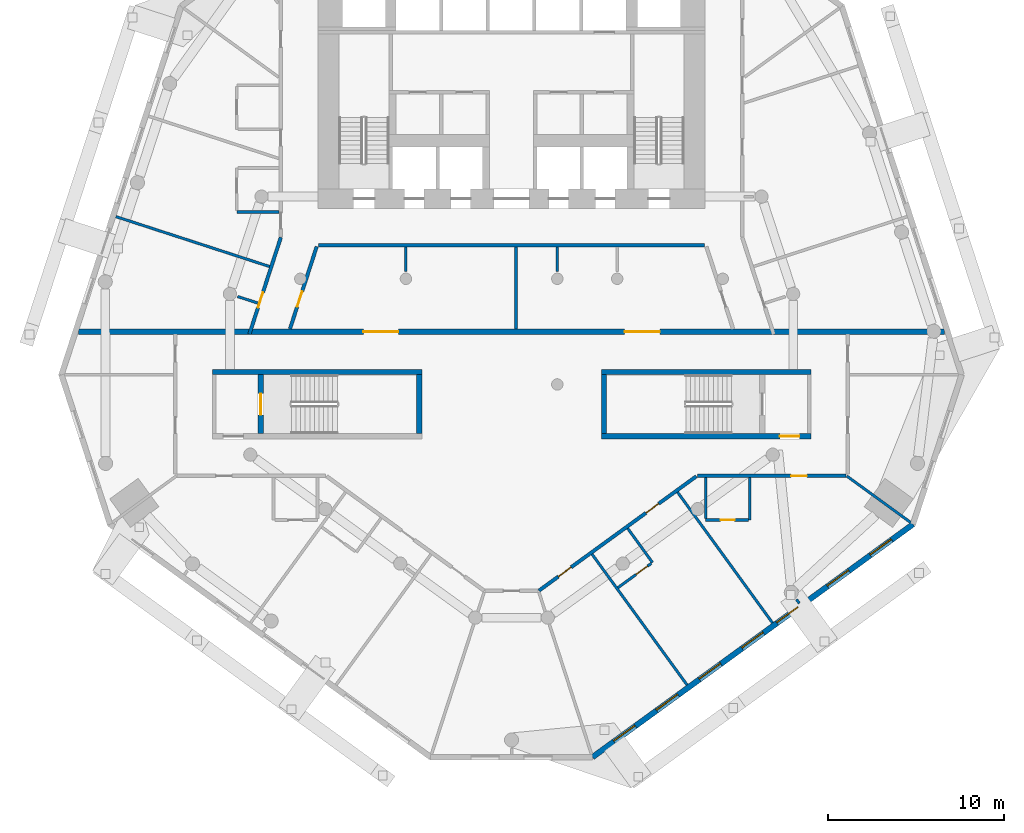
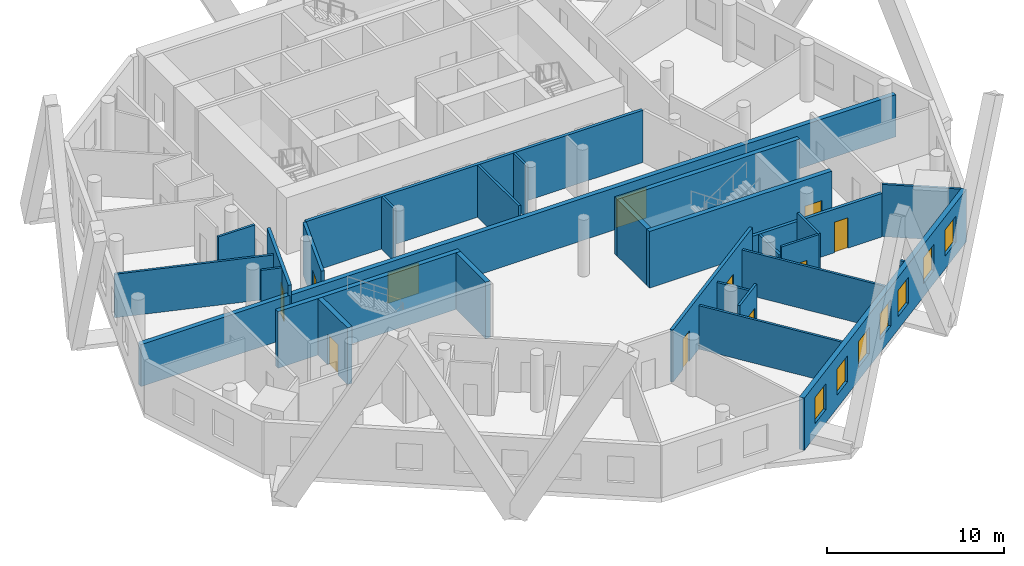
# One storey, part 4 of 10: 28 walls, 11 doors, 7 windows, 18 openings.
"""IFC4 building model written with IfcOpenShell, lengths in metres."""

from ifc_helpers import new_model, si_unit, direction, frame, frame_2d, origin, place, context, subcontext, project, spatial, rectangle, extrude, material, layer, layer_set, type_object, element, fill, save


model = new_model("IFC4")

# Units and contexts
model_context = context("Model", 3, precision=1e-05, world=origin(), true_north=direction((0.0, 1.0)))
body_context = subcontext(model_context, "Body", "Model", "MODEL_VIEW")
ifc_project = project(units=[si_unit("LENGTHUNIT", "METRE"), si_unit("AREAUNIT", "SQUARE_METRE"), si_unit("VOLUMEUNIT", "CUBIC_METRE"), si_unit("PLANEANGLEUNIT", "RADIAN"), si_unit("MASSUNIT", "GRAM", prefix="KILO")], contexts=[model_context])

# Site, building, storey
site_placement = place(None, origin())
site = spatial("IfcSite", under=ifc_project, at=site_placement, CompositionType="ELEMENT")
building_placement = place(site_placement, origin())
building = spatial("IfcBuilding", under=site, at=building_placement, Name="White Candle Pilgrim Tower", CompositionType="ELEMENT")
storey_placement = place(building_placement, frame((0.0, 0.0, 114.199951171875)))
storey = spatial("IfcBuildingStorey", under=building, at=storey_placement, Name="L25", CompositionType="ELEMENT", Elevation=114.199951171875)

# Wall, opening, door
ifc_material_1 = material(Name="Gypsum board on steel studs", Category="steel")
ifc_layer_1 = layer(ifc_material_1, 0.199951171875)
ifc_layer_set_1 = layer_set([ifc_layer_1], Name="Corridor wall 200 mm EI 45")
wall_type_1 = type_object("IfcWallType", Name="Corridor wall 200 mm EI 45", PredefinedType="PARTITIONING", material=ifc_layer_set_1)
wall_1_placement = place(storey_placement, frame((55.106689453125, 63.85009765625, 0.0), z_axis=(0.0, 0.0, 1.0), x_axis=(0.309017390004, 0.951056387747, 0.0)))
wall_1 = element("IfcWall", 1, at=wall_1_placement, inside=storey, type_object=wall_type_1, Name="WL-L25-P002", PredefinedType="PARTITIONING", context=body_context, shape_type="SweptSolid", body=[
    extrude(rectangle(XDim=5.787109375, YDim=0.199951171875, at=frame_2d((2.8935546875, 0.0))), origin(), (0.0, 0.0, 1.0), 3.60009765625),
])
opening_1_placement = place(wall_1_placement, frame((1.59619140625, 0.0, 0.0)))
opening_1 = element("IfcOpeningElement", 2, at=opening_1_placement, cuts=wall_1, Name="Opening T08-119", PredefinedType="OPENING", context=body_context, shape_type="SweptSolid", body=[
    extrude(rectangle(XDim=0.89990234375, YDim=2.10009765625, at=frame_2d((0.449951171875, 1.050048828125))), frame((0.0, 0.10986328125, 0.0), z_axis=(0.0, -1.0, 0.0), x_axis=(1.0, 0.0, 0.0)), (0.0, 0.0, 1.0), 0.219970703125),
])
ifc_material_2 = material(Name="Steel door leaf", Category="steel")
door_type_1 = type_object("IfcDoorType", Name="Fire door 900 x 2100 EI 30", OperationType="NOTDEFINED", PredefinedType="DOOR", material=ifc_material_2)
door_1_placement = place(opening_1_placement, origin())
door_1 = element("IfcDoor", 3, at=door_1_placement, inside=storey, type_object=door_type_1, Name="Door T08-119", OperationType="SINGLE_SWING_LEFT", OverallHeight=2.10009765625, OverallWidth=0.89990234375, PredefinedType="DOOR", context=body_context, shape_type="SweptSolid", body=[
    extrude(rectangle(XDim=0.89990234375, YDim=2.10009765625, at=frame_2d((0.449951171875, 1.050048828125))), frame((0.0, 0.02490234375, 0.0), z_axis=(0.0, -1.0, 0.0), x_axis=(1.0, 0.0, 0.0)), (0.0, 0.0, 1.0), 0.050048828125),
])
fill(opening_1, door_1)

wall_2_placement = place(storey_placement, frame((89.0, 55.800048828125, 0.0), z_axis=(0.0, 0.0, 1.0), x_axis=(-1.0, 0.0, 0.0)))
wall_2 = element("IfcWall", 4, at=wall_2_placement, inside=storey, type_object=wall_type_1, Name="WL-L25-P007", PredefinedType="PARTITIONING", context=body_context, shape_type="SweptSolid", body=[
    extrude(rectangle(XDim=8.44189453125, YDim=0.199951171875, at=frame_2d((4.220947265625, 0.0))), origin(), (0.0, 0.0, 1.0), 3.0),
])
opening_2_placement = place(wall_2_placement, frame((2.218505859375, 0.0, 0.0)))
opening_2 = element("IfcOpeningElement", 5, at=opening_2_placement, cuts=wall_2, Name="Opening T08-114", PredefinedType="OPENING", context=body_context, shape_type="SweptSolid", body=[
    extrude(rectangle(XDim=0.89990234375, YDim=2.10009765625, at=frame_2d((0.449951171875, 1.050048828125))), frame((0.0, 0.10986328125, 0.0), z_axis=(0.0, -1.0, 0.0), x_axis=(1.0, 0.0, 0.0)), (0.0, 0.0, 1.0), 0.219970703125),
])
door_2_placement = place(opening_2_placement, origin())
door_2 = element("IfcDoor", 6, at=door_2_placement, inside=storey, type_object=door_type_1, Name="Door T08-114", OperationType="SINGLE_SWING_RIGHT", OverallHeight=2.10009765625, OverallWidth=0.89990234375, PredefinedType="DOOR", context=body_context, shape_type="SweptSolid", body=[
    extrude(rectangle(XDim=0.89990234375, YDim=2.10009765625, at=frame_2d((0.449951171875, 1.050048828125))), frame((0.0, 0.02490234375, 0.0), z_axis=(0.0, -1.0, 0.0), x_axis=(1.0, 0.0, 0.0)), (0.0, 0.0, 1.0), 0.050048828125),
])
fill(opening_2, door_2)

# Wall, openings, doors
wall_3_placement = place(storey_placement, frame((80.49951171875, 55.781005859375, 0.0), z_axis=(0.0, 0.0, 1.0), x_axis=(-0.809011116472, -0.587793342447, 0.0)))
wall_3 = element("IfcWall", 7, at=wall_3_placement, inside=storey, type_object=wall_type_1, Name="WL-L25-P008", PredefinedType="PARTITIONING", context=body_context, shape_type="SweptSolid", body=[
    extrude(rectangle(XDim=11.0517578125, YDim=0.199951171875, at=frame_2d((5.52587890625, 0.0))), origin(), (0.0, 0.0, 1.0), 3.60009765625),
])
opening_3_placement = place(wall_3_placement, frame((8.789794921875, 0.0, 0.0)))
opening_3 = element("IfcOpeningElement", 8, at=opening_3_placement, cuts=wall_3, Name="Opening T08-110", PredefinedType="OPENING", context=body_context, shape_type="SweptSolid", body=[
    extrude(rectangle(XDim=0.89990234375, YDim=2.10009765625, at=frame_2d((0.449951171875, 1.050048828125))), frame((0.0, 0.10986328125, 0.0), z_axis=(0.0, -1.0, 0.0), x_axis=(1.0, 0.0, 0.0)), (0.0, 0.0, 1.0), 0.219970703125),
])
opening_4_placement = place(wall_3_placement, frame((2.6455078125, 0.0, 0.0)))
opening_4 = element("IfcOpeningElement", 9, at=opening_4_placement, cuts=wall_3, Name="Opening T08-112", PredefinedType="OPENING", context=body_context, shape_type="SweptSolid", body=[
    extrude(rectangle(XDim=0.89990234375, YDim=2.10009765625, at=frame_2d((0.449951171875, 1.050048828125))), frame((0.0, 0.10986328125, 0.0), z_axis=(0.0, -1.0, 0.0), x_axis=(1.0, 0.0, 0.0)), (0.0, 0.0, 1.0), 0.219970703125),
])
door_3_placement = place(opening_3_placement, origin())
door_3 = element("IfcDoor", 10, at=door_3_placement, inside=storey, type_object=door_type_1, Name="Door T08-110", OperationType="SINGLE_SWING_RIGHT", OverallHeight=2.10009765625, OverallWidth=0.89990234375, PredefinedType="DOOR", context=body_context, shape_type="SweptSolid", body=[
    extrude(rectangle(XDim=0.89990234375, YDim=2.10009765625, at=frame_2d((0.449951171875, 1.050048828125))), frame((0.0, 0.02490234375, 0.0), z_axis=(0.0, -1.0, 0.0), x_axis=(1.0, 0.0, 0.0)), (0.0, 0.0, 1.0), 0.050048828125),
])
fill(opening_3, door_3)
door_4_placement = place(opening_4_placement, origin())
door_4 = element("IfcDoor", 11, at=door_4_placement, inside=storey, type_object=door_type_1, Name="Door T08-112", OperationType="SINGLE_SWING_RIGHT", OverallHeight=2.10009765625, OverallWidth=0.89990234375, PredefinedType="DOOR", context=body_context, shape_type="SweptSolid", body=[
    extrude(rectangle(XDim=0.89990234375, YDim=2.10009765625, at=frame_2d((0.449951171875, 1.050048828125))), frame((0.0, 0.02490234375, 0.0), z_axis=(0.0, -1.0, 0.0), x_axis=(1.0, 0.0, 0.0)), (0.0, 0.0, 1.0), 0.050048828125),
])
fill(opening_4, door_4)

# Wall
wall_4_placement = place(storey_placement, frame((80.9716796875, 68.89990234375, 0.0), z_axis=(0.0, 0.0, 1.0), x_axis=(-1.0, 0.0, 0.0)))
element("IfcWall", 12, at=wall_4_placement, inside=storey, type_object=wall_type_1, Name="WL-L25-P013", PredefinedType="PARTITIONING", context=body_context, shape_type="SweptSolid", body=[
    extrude(rectangle(XDim=21.943359375, YDim=0.199951171875, at=frame_2d((10.9716796875, 0.0))), origin(), (0.0, 0.0, 1.0), 3.60009765625),
])

# Wall, opening, door
wall_5_placement = place(storey_placement, frame((58.93310546875, 68.830810546875, 0.0), z_axis=(0.0, 0.0, 1.0), x_axis=(-0.308986244793, -0.95106650689, 0.0)))
wall_5 = element("IfcWall", 13, at=wall_5_placement, inside=storey, type_object=wall_type_1, Name="WL-L25-P014", PredefinedType="PARTITIONING", context=body_context, shape_type="SweptSolid", body=[
    extrude(rectangle(XDim=4.921630859375, YDim=0.199951171875, at=frame_2d((2.4609375, 0.0))), origin(), (0.0, 0.0, 1.0), 3.60009765625),
])
opening_5_placement = place(wall_5_placement, frame((2.688720703125, 0.0, 0.0)))
opening_5 = element("IfcOpeningElement", 14, at=opening_5_placement, cuts=wall_5, Name="Opening T08-130", PredefinedType="OPENING", context=body_context, shape_type="SweptSolid", body=[
    extrude(rectangle(XDim=0.89990234375, YDim=2.10009765625, at=frame_2d((0.449951171875, 1.050048828125))), frame((0.0, 0.10986328125, 0.0), z_axis=(0.0, -1.0, 0.0), x_axis=(1.0, 0.0, 0.0)), (0.0, 0.0, 1.0), 0.219970703125),
])
door_5_placement = place(opening_5_placement, origin())
door_5 = element("IfcDoor", 15, at=door_5_placement, inside=storey, type_object=door_type_1, Name="Door T08-130", OperationType="SINGLE_SWING_RIGHT", OverallHeight=2.10009765625, OverallWidth=0.89990234375, PredefinedType="DOOR", context=body_context, shape_type="SweptSolid", body=[
    extrude(rectangle(XDim=0.89990234375, YDim=2.10009765625, at=frame_2d((0.449951171875, 1.050048828125))), frame((0.0, 0.02490234375, 0.0), z_axis=(0.0, -1.0, 0.0), x_axis=(1.0, 0.0, 0.0)), (0.0, 0.0, 1.0), 0.050048828125),
])
fill(opening_5, door_5)

# Wall, openings, windows
ifc_material_3 = material(Name="Precast concrete C40/50", Category="concrete")
ifc_layer_2 = layer(ifc_material_3, 0.320068359375)
ifc_layer_set_2 = layer_set([ifc_layer_2], Name="Facade wall EW1 precast concrete C40/50 pier wall with timber-lined reveals")
wall_type_2 = type_object("IfcWallType", Name="Facade wall EW1 precast concrete C40/50 pier wall with timber-lined reveals", PredefinedType="SOLIDWALL", material=ifc_layer_set_2)
wall_6_placement = place(storey_placement, frame((74.599609375, 39.825927734375, 0.0), z_axis=(0.0, 0.0, 1.0), x_axis=(0.809016442358, 0.587786012077, 0.0)))
wall_6 = element("IfcWall", 16, at=wall_6_placement, inside=storey, type_object=wall_type_2, Name="Facade wall L25 SE", PredefinedType="SOLIDWALL", context=body_context, shape_type="SweptSolid", body=[
    extrude(rectangle(XDim=22.511474609375, YDim=0.320068359375, at=frame_2d((11.255859375, 0.0))), origin(), (0.0, 0.0, 1.0), 3.60009765625),
])
opening_6_placement = place(wall_6_placement, frame((1.505615234375, 0.0, 0.89990234375)))
opening_6 = element("IfcOpeningElement", 17, at=opening_6_placement, cuts=wall_6, Name="Opening W1", PredefinedType="OPENING", context=body_context, shape_type="SweptSolid", body=[
    extrude(rectangle(XDim=1.5, YDim=1.800048828125, at=frame_2d((0.75, 0.89990234375))), frame((0.0, 0.169921875, 0.0), z_axis=(0.0, -1.0, 0.0), x_axis=(1.0, 0.0, 0.0)), (0.0, 0.0, 1.0), 0.340087890625),
])
opening_7_placement = place(wall_6_placement, frame((4.505615234375, 0.0, 0.89990234375)))
opening_7 = element("IfcOpeningElement", 18, at=opening_7_placement, cuts=wall_6, Name="Opening W1", PredefinedType="OPENING", context=body_context, shape_type="SweptSolid", body=[
    extrude(rectangle(XDim=1.5, YDim=1.800048828125, at=frame_2d((0.75, 0.89990234375))), frame((0.0, 0.169921875, 0.0), z_axis=(0.0, -1.0, 0.0), x_axis=(1.0, 0.0, 0.0)), (0.0, 0.0, 1.0), 0.340087890625),
])
opening_8_placement = place(wall_6_placement, frame((7.505615234375, 0.0, 0.89990234375)))
opening_8 = element("IfcOpeningElement", 19, at=opening_8_placement, cuts=wall_6, Name="Opening W1", PredefinedType="OPENING", context=body_context, shape_type="SweptSolid", body=[
    extrude(rectangle(XDim=1.5, YDim=1.800048828125, at=frame_2d((0.75, 0.89990234375))), frame((0.0, 0.169921875, 0.0), z_axis=(0.0, -1.0, 0.0), x_axis=(1.0, 0.0, 0.0)), (0.0, 0.0, 1.0), 0.340087890625),
])
opening_9_placement = place(wall_6_placement, frame((10.505615234375, 0.0, 0.89990234375)))
opening_9 = element("IfcOpeningElement", 20, at=opening_9_placement, cuts=wall_6, Name="Opening W1", PredefinedType="OPENING", context=body_context, shape_type="SweptSolid", body=[
    extrude(rectangle(XDim=1.5, YDim=1.800048828125, at=frame_2d((0.75, 0.89990234375))), frame((0.0, 0.169921875, 0.0), z_axis=(0.0, -1.0, 0.0), x_axis=(1.0, 0.0, 0.0)), (0.0, 0.0, 1.0), 0.340087890625),
])
opening_10_placement = place(wall_6_placement, frame((12.955810546875, 0.0, 0.89990234375)))
opening_10 = element("IfcOpeningElement", 21, at=opening_10_placement, cuts=wall_6, Name="Opening W1", PredefinedType="OPENING", context=body_context, shape_type="SweptSolid", body=[
    extrude(rectangle(XDim=1.5, YDim=1.800048828125, at=frame_2d((0.75, 0.89990234375))), frame((0.0, 0.169921875, 0.0), z_axis=(0.0, -1.0, 0.0), x_axis=(1.0, 0.0, 0.0)), (0.0, 0.0, 1.0), 0.340087890625),
])
opening_11_placement = place(wall_6_placement, frame((16.505615234375, 0.0, 0.89990234375)))
opening_11 = element("IfcOpeningElement", 22, at=opening_11_placement, cuts=wall_6, Name="Opening W1", PredefinedType="OPENING", context=body_context, shape_type="SweptSolid", body=[
    extrude(rectangle(XDim=1.5, YDim=1.800048828125, at=frame_2d((0.75, 0.89990234375))), frame((0.0, 0.169921875, 0.0), z_axis=(0.0, -1.0, 0.0), x_axis=(1.0, 0.0, 0.0)), (0.0, 0.0, 1.0), 0.340087890625),
])
opening_12_placement = place(wall_6_placement, frame((19.505615234375, 0.0, 0.89990234375)))
opening_12 = element("IfcOpeningElement", 23, at=opening_12_placement, cuts=wall_6, Name="Opening W1", PredefinedType="OPENING", context=body_context, shape_type="SweptSolid", body=[
    extrude(rectangle(XDim=1.5, YDim=1.800048828125, at=frame_2d((0.75, 0.89990234375))), frame((0.0, 0.169921875, 0.0), z_axis=(0.0, -1.0, 0.0), x_axis=(1.0, 0.0, 0.0)), (0.0, 0.0, 1.0), 0.340087890625),
])
ifc_material_4 = material(Name="Timber frame with triple glazing", Category="wood")
window_type = type_object("IfcWindowType", Name="Window W1 1500x1800 timber frame triple glazing", PartitioningType="SINGLE_PANEL", PredefinedType="WINDOW", material=ifc_material_4)
window_1_placement = place(opening_6_placement, origin())
window_1 = element("IfcWindow", 24, at=window_1_placement, inside=storey, type_object=window_type, Name="Window W1 L25 SE 1", OverallHeight=1.800048828125, OverallWidth=1.5, PartitioningType="SINGLE_PANEL", PredefinedType="WINDOW", context=body_context, shape_type="SweptSolid", body=[
    extrude(rectangle(XDim=1.5, YDim=1.800048828125, at=frame_2d((0.75, 0.89990234375))), frame((0.0, 0.070068359375, 0.0), z_axis=(0.0, -1.0, 0.0), x_axis=(1.0, 0.0, 0.0)), (0.0, 0.0, 1.0), 0.06005859375),
])
fill(opening_6, window_1)
window_2_placement = place(opening_7_placement, origin())
window_2 = element("IfcWindow", 25, at=window_2_placement, inside=storey, type_object=window_type, Name="Window W1 L25 SE 2", OverallHeight=1.800048828125, OverallWidth=1.5, PartitioningType="SINGLE_PANEL", PredefinedType="WINDOW", context=body_context, shape_type="SweptSolid", body=[
    extrude(rectangle(XDim=1.5, YDim=1.800048828125, at=frame_2d((0.75, 0.89990234375))), frame((0.0, 0.070068359375, 0.0), z_axis=(0.0, -1.0, 0.0), x_axis=(1.0, 0.0, 0.0)), (0.0, 0.0, 1.0), 0.06005859375),
])
fill(opening_7, window_2)
window_3_placement = place(opening_8_placement, origin())
window_3 = element("IfcWindow", 26, at=window_3_placement, inside=storey, type_object=window_type, Name="Window W1 L25 SE 3", OverallHeight=1.800048828125, OverallWidth=1.5, PartitioningType="SINGLE_PANEL", PredefinedType="WINDOW", context=body_context, shape_type="SweptSolid", body=[
    extrude(rectangle(XDim=1.5, YDim=1.800048828125, at=frame_2d((0.75, 0.89990234375))), frame((0.0, 0.070068359375, 0.0), z_axis=(0.0, -1.0, 0.0), x_axis=(1.0, 0.0, 0.0)), (0.0, 0.0, 1.0), 0.06005859375),
])
fill(opening_8, window_3)
window_4_placement = place(opening_9_placement, origin())
window_4 = element("IfcWindow", 27, at=window_4_placement, inside=storey, type_object=window_type, Name="Window W1 L25 SE 4", OverallHeight=1.800048828125, OverallWidth=1.5, PartitioningType="SINGLE_PANEL", PredefinedType="WINDOW", context=body_context, shape_type="SweptSolid", body=[
    extrude(rectangle(XDim=1.5, YDim=1.800048828125, at=frame_2d((0.75, 0.89990234375))), frame((0.0, 0.070068359375, 0.0), z_axis=(0.0, -1.0, 0.0), x_axis=(1.0, 0.0, 0.0)), (0.0, 0.0, 1.0), 0.06005859375),
])
fill(opening_9, window_4)
window_5_placement = place(opening_10_placement, origin())
window_5 = element("IfcWindow", 28, at=window_5_placement, inside=storey, type_object=window_type, Name="Window W1 L25 SE 5", OverallHeight=1.800048828125, OverallWidth=1.5, PartitioningType="SINGLE_PANEL", PredefinedType="WINDOW", context=body_context, shape_type="SweptSolid", body=[
    extrude(rectangle(XDim=1.5, YDim=1.800048828125, at=frame_2d((0.75, 0.89990234375))), frame((0.0, 0.070068359375, 0.0), z_axis=(0.0, -1.0, 0.0), x_axis=(1.0, 0.0, 0.0)), (0.0, 0.0, 1.0), 0.06005859375),
])
fill(opening_10, window_5)
window_6_placement = place(opening_11_placement, origin())
window_6 = element("IfcWindow", 29, at=window_6_placement, inside=storey, type_object=window_type, Name="Window W1 L25 SE 6", OverallHeight=1.800048828125, OverallWidth=1.5, PartitioningType="SINGLE_PANEL", PredefinedType="WINDOW", context=body_context, shape_type="SweptSolid", body=[
    extrude(rectangle(XDim=1.5, YDim=1.800048828125, at=frame_2d((0.75, 0.89990234375))), frame((0.0, 0.070068359375, 0.0), z_axis=(0.0, -1.0, 0.0), x_axis=(1.0, 0.0, 0.0)), (0.0, 0.0, 1.0), 0.06005859375),
])
fill(opening_11, window_6)
window_7_placement = place(opening_12_placement, origin())
window_7 = element("IfcWindow", 30, at=window_7_placement, inside=storey, type_object=window_type, Name="Window W1 L25 SE 7", OverallHeight=1.800048828125, OverallWidth=1.5, PartitioningType="SINGLE_PANEL", PredefinedType="WINDOW", context=body_context, shape_type="SweptSolid", body=[
    extrude(rectangle(XDim=1.5, YDim=1.800048828125, at=frame_2d((0.75, 0.89990234375))), frame((0.0, 0.070068359375, 0.0), z_axis=(0.0, -1.0, 0.0), x_axis=(1.0, 0.0, 0.0)), (0.0, 0.0, 1.0), 0.06005859375),
])
fill(opening_12, window_7)

# Wall, openings, doors
ifc_material_5 = material(Name="Aerated concrete block", Category="concrete")
ifc_layer_3 = layer(ifc_material_5, 0.300048828125)
ifc_layer_set_3 = layer_set([ifc_layer_3], Name="Fire wall 300 mm REI 240")
wall_type_3 = type_object("IfcWallType", Name="Fire wall 300 mm REI 240", PredefinedType="PARTITIONING", material=ifc_layer_set_3)
wall_7_placement = place(storey_placement, frame((45.39794921875, 64.0, 0.0), z_axis=(0.0, 0.0, 1.0), x_axis=(1.0, 0.0, 0.0)))
wall_7 = element("IfcWall", 31, at=wall_7_placement, inside=storey, type_object=wall_type_3, Name="WL-L25-P001", PredefinedType="PARTITIONING", context=body_context, shape_type="SweptSolid", body=[
    extrude(rectangle(XDim=49.2041015625, YDim=0.300048828125, at=frame_2d((24.60205078125, 0.0))), origin(), (0.0, 0.0, 1.0), 2.900146484375),
])
opening_13_placement = place(wall_7_placement, frame((16.1796875, 0.0, 0.0)))
opening_13 = element("IfcOpeningElement", 32, at=opening_13_placement, cuts=wall_7, Name="Opening T08-116", PredefinedType="OPENING", context=body_context, shape_type="SweptSolid", body=[
    extrude(rectangle(XDim=2.0, YDim=2.10009765625, at=frame_2d((1.0, 1.050048828125))), frame((0.0, 0.159912109375, 0.0), z_axis=(0.0, -1.0, 0.0), x_axis=(1.0, 0.0, 0.0)), (0.0, 0.0, 1.0), 0.320068359375),
])
opening_14_placement = place(wall_7_placement, frame((31.0244140625, 0.0, 0.0)))
opening_14 = element("IfcOpeningElement", 33, at=opening_14_placement, cuts=wall_7, Name="Opening T08-117", PredefinedType="OPENING", context=body_context, shape_type="SweptSolid", body=[
    extrude(rectangle(XDim=2.0, YDim=2.10009765625, at=frame_2d((1.0, 1.050048828125))), frame((0.0, 0.159912109375, 0.0), z_axis=(0.0, -1.0, 0.0), x_axis=(1.0, 0.0, 0.0)), (0.0, 0.0, 1.0), 0.320068359375),
])
door_type_2 = type_object("IfcDoorType", Name="Fire door 2000 x 2100 EI 60", OperationType="NOTDEFINED", PredefinedType="DOOR", material=ifc_material_2)
door_6_placement = place(opening_13_placement, origin())
door_6 = element("IfcDoor", 34, at=door_6_placement, inside=storey, type_object=door_type_2, Name="Door T08-116", OperationType="DOUBLE_DOOR_SINGLE_SWING", OverallHeight=2.10009765625, OverallWidth=2.0, PredefinedType="DOOR", context=body_context, shape_type="SweptSolid", body=[
    extrude(rectangle(XDim=2.0, YDim=2.10009765625, at=frame_2d((1.0, 1.050048828125))), frame((0.0, 0.02490234375, 0.0), z_axis=(0.0, -1.0, 0.0), x_axis=(1.0, 0.0, 0.0)), (0.0, 0.0, 1.0), 0.050048828125),
])
fill(opening_13, door_6)
door_7_placement = place(opening_14_placement, origin())
door_7 = element("IfcDoor", 35, at=door_7_placement, inside=storey, type_object=door_type_2, Name="Door T08-117", OperationType="DOUBLE_DOOR_SINGLE_SWING", OverallHeight=2.10009765625, OverallWidth=2.0, PredefinedType="DOOR", context=body_context, shape_type="SweptSolid", body=[
    extrude(rectangle(XDim=2.0, YDim=2.10009765625, at=frame_2d((1.0, 1.050048828125))), frame((0.0, 0.02490234375, 0.0), z_axis=(0.0, -1.0, 0.0), x_axis=(1.0, 0.0, 0.0)), (0.0, 0.0, 1.0), 0.050048828125),
])
fill(opening_14, door_7)

# Walls
ifc_layer_4 = layer(ifc_material_1, 0.14990234375)
ifc_layer_set_4 = layer_set([ifc_layer_4], Name="Partition 150 mm EI 60")
wall_type_4 = type_object("IfcWallType", Name="Partition 150 mm EI 60", PredefinedType="PARTITIONING", material=ifc_layer_set_4)
wall_8_placement = place(storey_placement, frame((92.675537109375, 53.15673828125, 0.0), z_axis=(0.0, 0.0, 1.0), x_axis=(-0.809006482004, 0.587799721058, 0.0)))
element("IfcWall", 36, at=wall_8_placement, inside=storey, type_object=wall_type_4, Name="WL-L25-P021", PredefinedType="PARTITIONING", context=body_context, shape_type="SweptSolid", body=[
    extrude(rectangle(XDim=4.48876953125, YDim=0.14990234375, at=frame_2d((2.244384765625, 0.0))), origin(), (0.0, 0.0, 1.0), 3.60009765625),
])
wall_9_placement = place(storey_placement, frame((47.52099609375, 70.533935546875, 0.0), z_axis=(0.0, 0.0, 1.0), x_axis=(0.951052242872, -0.309030146309, 0.0)))
element("IfcWall", 37, at=wall_9_placement, inside=storey, type_object=wall_type_4, Name="WL-L25-P026", PredefinedType="PARTITIONING", context=body_context, shape_type="SweptSolid", body=[
    extrude(rectangle(XDim=9.18017578125, YDim=0.14990234375, at=frame_2d((4.590087890625, 0.0))), origin(), (0.0, 0.0, 1.0), 3.0),
])
wall_10_placement = place(storey_placement, frame((56.800048828125, 70.795166015625, 0.0), z_axis=(0.0, 0.0, 1.0), x_axis=(-1.0, 0.0, 0.0)))
element("IfcWall", 38, at=wall_10_placement, inside=storey, type_object=wall_type_4, Name="WL-L25-P030", PredefinedType="PARTITIONING", context=body_context, shape_type="SweptSolid", body=[
    extrude(rectangle(XDim=2.400146484375, YDim=0.14990234375, at=frame_2d((1.2001953125, 0.0))), origin(), (0.0, 0.0, 1.0), 3.0),
])
wall_11_placement = place(storey_placement, frame((79.970947265625, 43.92626953125, 0.0), z_axis=(0.0, 0.0, 1.0), x_axis=(-0.587777877013, 0.809022352778, 0.0)))
element("IfcWall", 39, at=wall_11_placement, inside=storey, type_object=wall_type_4, Name="WL-L25-P040", PredefinedType="PARTITIONING", context=body_context, shape_type="SweptSolid", body=[
    extrude(rectangle(XDim=9.179931640625, YDim=0.14990234375, at=frame_2d((4.58984375, 0.0))), origin(), (0.0, 0.0, 1.0), 3.0),
])
wall_12_placement = place(storey_placement, frame((84.8251953125, 47.452880859375, 0.0), z_axis=(0.0, 0.0, 1.0), x_axis=(-0.587795283542, 0.809009706151, 0.0)))
element("IfcWall", 40, at=wall_12_placement, inside=storey, type_object=wall_type_4, Name="WL-L25-P041", PredefinedType="PARTITIONING", context=body_context, shape_type="SweptSolid", body=[
    extrude(rectangle(XDim=9.18017578125, YDim=0.14990234375, at=frame_2d((4.590087890625, 0.0))), origin(), (0.0, 0.0, 1.0), 3.0),
])
wall_13_placement = place(storey_placement, frame((76.59765625, 52.822509765625, 0.0), z_axis=(0.0, 0.0, 1.0), x_axis=(0.587772420479, -0.809026317077, 0.0)))
element("IfcWall", 41, at=wall_13_placement, inside=storey, type_object=wall_type_4, Name="WL-L25-P042", PredefinedType="PARTITIONING", context=body_context, shape_type="SweptSolid", body=[
    extrude(rectangle(XDim=2.39990234375, YDim=0.14990234375, at=frame_2d((1.199951171875, 0.0))), origin(), (0.0, 0.0, 1.0), 3.0),
])

# Wall, opening, door
wall_14_placement = place(storey_placement, frame((76.04638671875, 49.45556640625, 0.0), z_axis=(0.0, 0.0, 1.0), x_axis=(0.809032466197, 0.587763956567, 0.0)))
wall_14 = element("IfcWall", 42, at=wall_14_placement, inside=storey, type_object=wall_type_4, Name="WL-L25-P043", PredefinedType="PARTITIONING", context=body_context, shape_type="SweptSolid", body=[
    extrude(rectangle(XDim=2.35009765625, YDim=0.14990234375, at=frame_2d((1.175048828125, 0.0))), origin(), (0.0, 0.0, 1.0), 3.60009765625),
])
opening_15_placement = place(wall_14_placement, frame((1.27490234375, 0.0, 0.0)))
opening_15 = element("IfcOpeningElement", 43, at=opening_15_placement, cuts=wall_14, Name="Opening T08-111", PredefinedType="OPENING", context=body_context, shape_type="SweptSolid", body=[
    extrude(rectangle(XDim=0.800048828125, YDim=2.10009765625, at=frame_2d((0.39990234375, 1.050048828125))), frame((0.0, 0.0849609375, 0.0), z_axis=(0.0, -1.0, 0.0), x_axis=(1.0, 0.0, 0.0)), (0.0, 0.0, 1.0), 0.169921875),
])
door_type_3 = type_object("IfcDoorType", Name="Fire door 800 x 2100 EI 30", OperationType="NOTDEFINED", PredefinedType="DOOR", material=ifc_material_2)
door_8_placement = place(opening_15_placement, frame((0.800048828125, 0.0, 0.0), z_axis=(0.0, 0.0, 1.0), x_axis=(-1.0, 0.0, 0.0)))
door_8 = element("IfcDoor", 44, at=door_8_placement, inside=storey, type_object=door_type_3, Name="Door T08-111", OperationType="SINGLE_SWING_RIGHT", OverallHeight=2.10009765625, OverallWidth=0.800048828125, PredefinedType="DOOR", context=body_context, shape_type="SweptSolid", body=[
    extrude(rectangle(XDim=0.800048828125, YDim=2.10009765625, at=frame_2d((0.39990234375, 1.050048828125))), frame((0.0, 0.02490234375, 0.0), z_axis=(0.0, -1.0, 0.0), x_axis=(1.0, 0.0, 0.0)), (0.0, 0.0, 1.0), 0.050048828125),
])
fill(opening_15, door_8)

# Wall
wall_15_placement = place(storey_placement, frame((83.525634765625, 55.699951171875, 0.0), z_axis=(0.0, 0.0, 1.0), x_axis=(0.0, -1.0, 0.0)))
element("IfcWall", 45, at=wall_15_placement, inside=storey, type_object=wall_type_4, Name="WL-L25-P044", PredefinedType="PARTITIONING", context=body_context, shape_type="SweptSolid", body=[
    extrude(rectangle(XDim=2.39990234375, YDim=0.14990234375, at=frame_2d((1.199951171875, 0.0))), origin(), (0.0, 0.0, 1.0), 3.60009765625),
])

# Wall, opening, door
wall_16_placement = place(storey_placement, frame((81.025634765625, 53.300048828125, 0.0), z_axis=(0.0, 0.0, 1.0), x_axis=(1.0, 0.0, 0.0)))
wall_16 = element("IfcWall", 46, at=wall_16_placement, inside=storey, type_object=wall_type_4, Name="WL-L25-P045", PredefinedType="PARTITIONING", context=body_context, shape_type="SweptSolid", body=[
    extrude(rectangle(XDim=2.425048828125, YDim=0.14990234375, at=frame_2d((1.21240234375, 0.0))), origin(), (0.0, 0.0, 1.0), 3.60009765625),
])
opening_16_placement = place(wall_16_placement, frame((0.85009765625, 0.0, 0.0)))
opening_16 = element("IfcOpeningElement", 47, at=opening_16_placement, cuts=wall_16, Name="Opening T08-113", PredefinedType="OPENING", context=body_context, shape_type="SweptSolid", body=[
    extrude(rectangle(XDim=0.800048828125, YDim=2.10009765625, at=frame_2d((0.39990234375, 1.050048828125))), frame((0.0, 0.0849609375, 0.0), z_axis=(0.0, -1.0, 0.0), x_axis=(1.0, 0.0, 0.0)), (0.0, 0.0, 1.0), 0.169921875),
])
door_9_placement = place(opening_16_placement, frame((0.800048828125, 0.0, 0.0), z_axis=(0.0, 0.0, 1.0), x_axis=(-1.0, 0.0, 0.0)))
door_9 = element("IfcDoor", 48, at=door_9_placement, inside=storey, type_object=door_type_3, Name="Door T08-113", OperationType="SINGLE_SWING_RIGHT", OverallHeight=2.10009765625, OverallWidth=0.800048828125, PredefinedType="DOOR", context=body_context, shape_type="SweptSolid", body=[
    extrude(rectangle(XDim=0.800048828125, YDim=2.10009765625, at=frame_2d((0.39990234375, 1.050048828125))), frame((0.0, 0.02490234375, 0.0), z_axis=(0.0, -1.0, 0.0), x_axis=(1.0, 0.0, 0.0)), (0.0, 0.0, 1.0), 0.050048828125),
])
fill(opening_16, door_9)

# Walls
wall_17_placement = place(storey_placement, frame((81.025634765625, 55.699951171875, 0.0), z_axis=(0.0, 0.0, 1.0), x_axis=(0.0, -1.0, 0.0)))
element("IfcWall", 49, at=wall_17_placement, inside=storey, type_object=wall_type_4, Name="WL-L25-P046", PredefinedType="PARTITIONING", context=body_context, shape_type="SweptSolid", body=[
    extrude(rectangle(XDim=2.324951171875, YDim=0.14990234375, at=frame_2d((1.16259765625, 0.0))), origin(), (0.0, 0.0, 1.0), 3.0),
])
wall_18_placement = place(storey_placement, frame((70.255126953125, 64.14990234375, 0.0), z_axis=(0.0, 0.0, 1.0), x_axis=(0.0, 1.0, 0.0)))
element("IfcWall", 50, at=wall_18_placement, inside=storey, type_object=wall_type_4, Name="WL-L25-P049", PredefinedType="PARTITIONING", context=body_context, shape_type="SweptSolid", body=[
    extrude(rectangle(XDim=4.650146484375, YDim=0.14990234375, at=frame_2d((2.3251953125, 0.0))), origin(), (0.0, 0.0, 1.0), 3.60009765625),
])
wall_19_placement = place(storey_placement, frame((86.18603515625, 48.78955078125, 0.0), z_axis=(0.0, 0.0, 1.0), x_axis=(0.587707047183, -0.809073807938, 0.0)))
element("IfcWall", 51, at=wall_19_placement, inside=storey, type_object=wall_type_4, Name="WL-L25-P053", PredefinedType="PARTITIONING", context=body_context, shape_type="SweptSolid", body=[
    extrude(rectangle(XDim=0.28125, YDim=0.14990234375, at=frame_2d((0.140625, 0.0))), origin(), (0.0, 0.0, 1.0), 3.60009765625),
])
wall_20_placement = place(storey_placement, frame((54.441162109375, 65.992919921875, 0.0), z_axis=(0.0, 0.0, 1.0), x_axis=(0.951046076661, -0.30904912242, 0.0)))
element("IfcWall", 52, at=wall_20_placement, inside=storey, type_object=wall_type_4, Name="WL-L25-P057", PredefinedType="PARTITIONING", context=body_context, shape_type="SweptSolid", body=[
    extrude(rectangle(XDim=1.1953125, YDim=0.14990234375, at=frame_2d((0.59765625, 0.0))), origin(), (0.0, 0.0, 1.0), 3.60009765625),
])
for number, where, z_axis, x_axis, name in (
    (53, (63.997802734375, 67.4150390625, 0.0), (0.0, 0.0, 1.0), (0.0, 1.0, 0.0), "WL-L25-P058"),
    (54, (72.59765625, 67.4150390625, 0.0), (0.0, 0.0, 1.0), (0.0, 1.0, 0.0), "WL-L25-P059"),
):
    element("IfcWall", number, at=place(storey_placement, frame(where, z_axis=z_axis, x_axis=x_axis)), inside=storey, type_object=wall_type_4, Name=name, PredefinedType="PARTITIONING", context=body_context, shape_type="SweptSolid", body=[
        extrude(rectangle(XDim=1.385009765625, YDim=0.14990234375, at=frame_2d((0.6923828125, 0.0))), origin(), (0.0, 0.0, 1.0), 3.60009765625),
    ])

# Wall, opening, door
ifc_material_6 = material(Name="Concrete C60/75", Category="concrete")
ifc_layer_5 = layer(ifc_material_6, 0.300048828125)
ifc_layer_set_5 = layer_set([ifc_layer_5], Name="Stair shaft wall 300 mm Concrete C60/75")
wall_type_5 = type_object("IfcWallType", Name="Stair shaft wall 300 mm Concrete C60/75", PredefinedType="SHEAR", material=ifc_layer_set_5)
wall_21_placement = place(storey_placement, frame((75.10009765625, 58.050048828125, 0.0), z_axis=(0.0, 0.0, 1.0), x_axis=(1.0, 0.0, 0.0)))
wall_21 = element("IfcWall", 55, at=wall_21_placement, inside=storey, type_object=wall_type_5, Name="WL-L25-C02", PredefinedType="SHEAR", context=body_context, shape_type="SweptSolid", body=[
    extrude(rectangle(XDim=11.89990234375, YDim=0.300048828125, at=frame_2d((5.949951171875, 0.0))), origin(), (0.0, 0.0, 1.0), 3.900146484375),
])
opening_17_placement = place(wall_21_placement, frame((10.14990234375, 0.0, 0.0)))
opening_17 = element("IfcOpeningElement", 56, at=opening_17_placement, cuts=wall_21, Name="Opening T08-009", PredefinedType="OPENING", context=body_context, shape_type="SweptSolid", body=[
    extrude(rectangle(XDim=1.10009765625, YDim=2.10009765625, at=frame_2d((0.550048828125, 1.050048828125))), frame((0.0, 0.159912109375, 0.0), z_axis=(0.0, -1.0, 0.0), x_axis=(1.0, 0.0, 0.0)), (0.0, 0.0, 1.0), 0.320068359375),
])
door_type_4 = type_object("IfcDoorType", Name="Fire door 1100 x 2100 EI 60", OperationType="NOTDEFINED", PredefinedType="DOOR", material=ifc_material_2)
door_10_placement = place(opening_17_placement, origin())
door_10 = element("IfcDoor", 57, at=door_10_placement, inside=storey, type_object=door_type_4, Name="Door T08-009", OperationType="SINGLE_SWING_LEFT", OverallHeight=2.10009765625, OverallWidth=1.10009765625, PredefinedType="DOOR", context=body_context, shape_type="SweptSolid", body=[
    extrude(rectangle(XDim=1.10009765625, YDim=2.10009765625, at=frame_2d((0.550048828125, 1.050048828125))), frame((0.0, 0.02490234375, 0.0), z_axis=(0.0, -1.0, 0.0), x_axis=(1.0, 0.0, 0.0)), (0.0, 0.0, 1.0), 0.050048828125),
])
fill(opening_17, door_10)

wall_22_placement = place(storey_placement, frame((55.75, 58.199951171875, 0.0), z_axis=(0.0, 0.0, 1.0), x_axis=(0.0, 1.0, 0.0)))
wall_22 = element("IfcWall", 58, at=wall_22_placement, inside=storey, type_object=wall_type_5, Name="WL-L25-C04", PredefinedType="SHEAR", context=body_context, shape_type="SweptSolid", body=[
    extrude(rectangle(XDim=3.35009765625, YDim=0.300048828125, at=frame_2d((1.675048828125, 0.0))), origin(), (0.0, 0.0, 1.0), 3.900146484375),
])
opening_18_placement = place(wall_22_placement, frame((1.074951171875, 0.0, 0.0)))
opening_18 = element("IfcOpeningElement", 59, at=opening_18_placement, cuts=wall_22, Name="Opening T08-008", PredefinedType="OPENING", context=body_context, shape_type="SweptSolid", body=[
    extrude(rectangle(XDim=1.199951171875, YDim=2.10009765625, at=frame_2d((0.60009765625, 1.050048828125))), frame((0.0, 0.159912109375, 0.0), z_axis=(0.0, -1.0, 0.0), x_axis=(1.0, 0.0, 0.0)), (0.0, 0.0, 1.0), 0.320068359375),
])
door_type_5 = type_object("IfcDoorType", Name="Fire door 1200 x 2100 EI 60", OperationType="NOTDEFINED", PredefinedType="DOOR", material=ifc_material_2)
door_11_placement = place(opening_18_placement, frame((1.199951171875, 0.0, 0.0), z_axis=(0.0, 0.0, 1.0), x_axis=(-1.0, 0.0, 0.0)))
door_11 = element("IfcDoor", 60, at=door_11_placement, inside=storey, type_object=door_type_5, Name="Door T08-008", OperationType="SINGLE_SWING_LEFT", OverallHeight=2.10009765625, OverallWidth=1.199951171875, PredefinedType="DOOR", context=body_context, shape_type="SweptSolid", body=[
    extrude(rectangle(XDim=1.199951171875, YDim=2.10009765625, at=frame_2d((0.60009765625, 1.050048828125))), frame((0.0, 0.02490234375, 0.0), z_axis=(0.0, -1.0, 0.0), x_axis=(1.0, 0.0, 0.0)), (0.0, 0.0, 1.0), 0.050048828125),
])
fill(opening_18, door_11)

# Walls
for number, where, z_axis, x_axis, name in (
    (61, (64.75, 58.199951171875, 0.0), (0.0, 0.0, 1.0), (0.0, 1.0, 0.0), "WL-L25-C05"),
    (62, (75.25, 58.199951171875, 0.0), (0.0, 0.0, 1.0), (0.0, 1.0, 0.0), "WL-L25-C06"),
):
    element("IfcWall", number, at=place(storey_placement, frame(where, z_axis=z_axis, x_axis=x_axis)), inside=storey, type_object=wall_type_5, Name=name, PredefinedType="SHEAR", context=body_context, shape_type="SweptSolid", body=[
        extrude(rectangle(XDim=3.35009765625, YDim=0.300048828125, at=frame_2d((1.675048828125, 0.0))), origin(), (0.0, 0.0, 1.0), 3.900146484375),
    ])
for number, where, z_axis, x_axis, name in (
    (63, (53.0, 61.699951171875, 0.0), (0.0, 0.0, 1.0), (1.0, 0.0, 0.0), "WL-L25-C09"),
    (64, (75.10009765625, 61.699951171875, 0.0), (0.0, 0.0, 1.0), (1.0, 0.0, 0.0), "WL-L25-C10"),
):
    element("IfcWall", number, at=place(storey_placement, frame(where, z_axis=z_axis, x_axis=x_axis)), inside=storey, type_object=wall_type_5, Name=name, PredefinedType="SHEAR", context=body_context, shape_type="SweptSolid", body=[
        extrude(rectangle(XDim=11.89990234375, YDim=0.300048828125, at=frame_2d((5.949951171875, 0.0))), origin(), (0.0, 0.0, 1.0), 3.900146484375),
    ])

save(model, "model.ifc")
